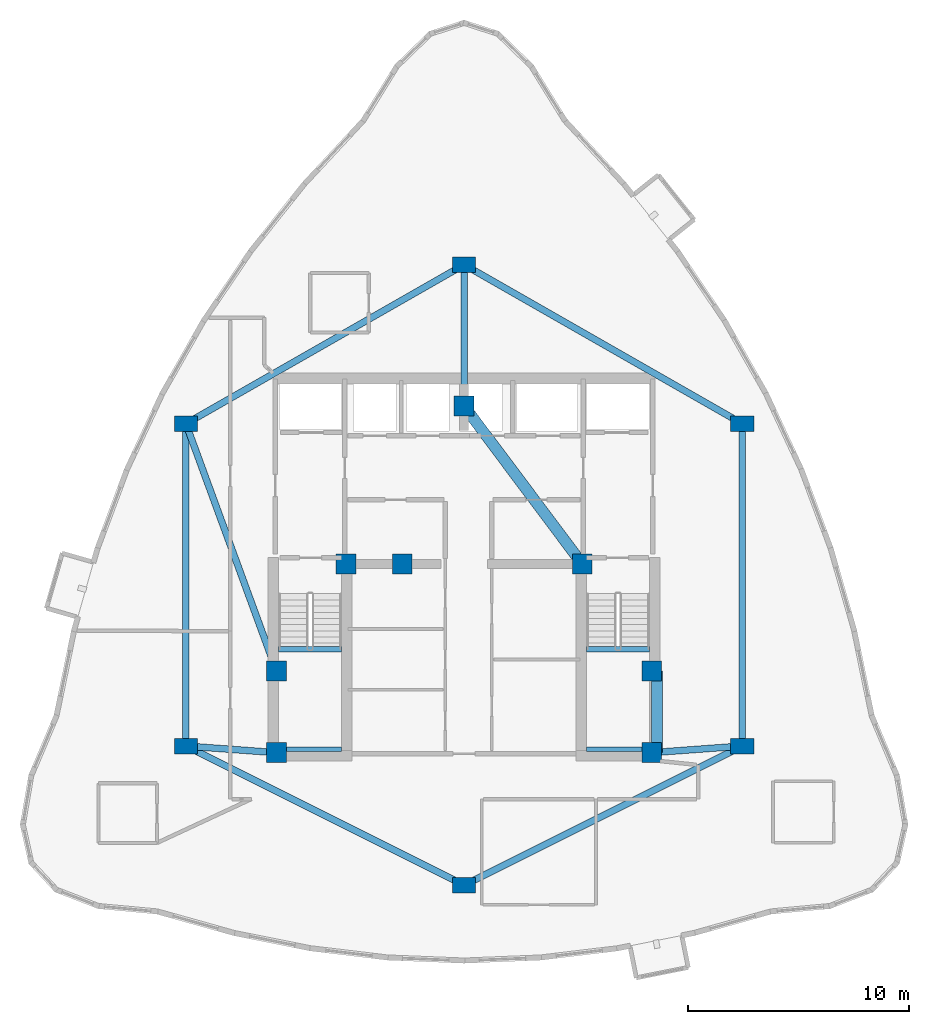
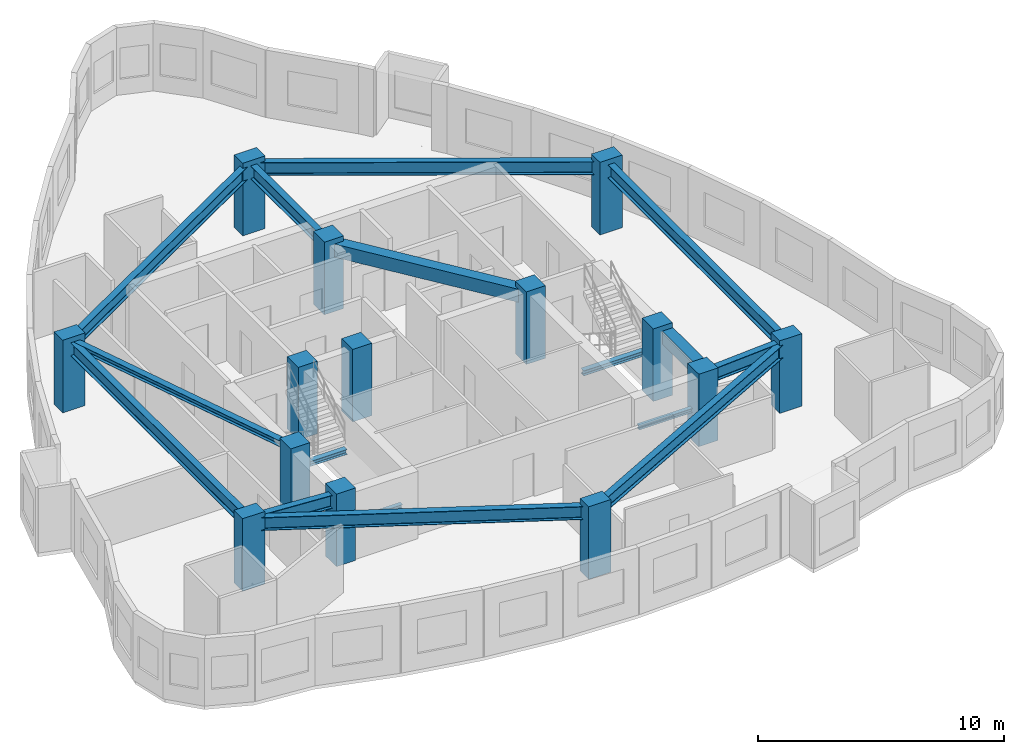
# One storey, part 1 of 10: 16 beams, 14 columns.
"""IFC4 building model written with IfcOpenShell, lengths in metres."""

from ifc_helpers import new_model, si_unit, direction, frame, origin, origin_2d, place, context, subcontext, project, spatial, rectangle, i_section, extrude, material, material_profile, profile_set, type_object, element, save


model = new_model("IFC4")

# Units and contexts
model_context = context("Model", 3, precision=1e-05, world=origin(), true_north=direction((0.0, 1.0)))
body_context = subcontext(model_context, "Body", "Model", "MODEL_VIEW")
ifc_project = project(units=[si_unit("LENGTHUNIT", "METRE"), si_unit("AREAUNIT", "SQUARE_METRE"), si_unit("VOLUMEUNIT", "CUBIC_METRE"), si_unit("PLANEANGLEUNIT", "RADIAN"), si_unit("MASSUNIT", "GRAM", prefix="KILO")], contexts=[model_context])

# Site, building, storey
site_placement = place(None, origin())
site = spatial("IfcSite", under=ifc_project, at=site_placement, CompositionType="ELEMENT")
building_placement = place(site_placement, origin())
building = spatial("IfcBuilding", under=site, at=building_placement, Name="Miruveldt Soraemaru", CompositionType="ELEMENT")
storey_placement = place(building_placement, frame((0.0, 0.0, 226.800048828125)))
storey = spatial("IfcBuildingStorey", under=building, at=storey_placement, Name="L62", CompositionType="ELEMENT", Elevation=226.800048828125)

# Columns
ifc_material_1 = material(Name="Concrete C50/60 (50 MPa)", Category="concrete")
ifc_material_profile_1 = material_profile(ifc_material_1, rectangle(XDim=0.89990234375, YDim=0.89990234375, at=origin_2d()), Name="Concrete C50/60 (50 MPa)", Category="concrete")
ifc_profile_set_1 = profile_set([ifc_material_profile_1], Name="Concrete C50/60 (50 MPa)")
column_type_1 = type_object("IfcColumnType", Name="COL-CORE-900", PredefinedType="COLUMN", material=ifc_profile_set_1)
for number, where, z_axis, x_axis, name in (
    (1, (35.5, 35.5, 0.0), (0.0, 0.0, 1.0), (1.0, 0.0, 0.0), "L62 Structural Column CC1"),
    (2, (38.64990234375, 44.050048828125, 0.0), (0.0, 0.0, 1.0), (1.0, 0.0, 0.0), "L62 Structural Column CC2"),
    (3, (52.5, 35.5, 0.0), (0.0, 0.0, 1.0), (1.0, 0.0, 0.0), "L62 Structural Column CC3"),
    (4, (52.5, 39.199951171875, 0.0), (0.0, 0.0, 1.0), (1.0, 0.0, 0.0), "L62 Structural Column CC4"),
    (5, (49.35009765625, 44.050048828125, 0.0), (0.0, 0.0, 1.0), (1.0, 0.0, 0.0), "L62 Structural Column CC5"),
    (6, (44.0, 51.199951171875, 0.0), (0.0, 0.0, 1.0), (1.0, 0.0, 0.0), "L62 Structural Column CC6"),
    (7, (35.5, 39.199951171875, 0.0), (0.0, 0.0, 1.0), (1.0, 0.0, 0.0), "L62 Structural Column CC7"),
    (8, (41.199951171875, 44.050048828125, 0.0), (0.0, 0.0, 1.0), (1.0, 0.0, 0.0), "L62 Structural Column CC8"),
):
    element("IfcColumn", number, at=place(storey_placement, frame(where, z_axis=z_axis, x_axis=x_axis)), inside=storey, type_object=column_type_1, Name=name, PredefinedType="COLUMN", context=body_context, shape_type="SweptSolid", body=[
        extrude(rectangle(XDim=0.89990234375, YDim=0.89990234375, at=origin_2d()), origin(), (0.0, 0.0, 1.0), 3.599853515625),
    ])
ifc_material_2 = material(Name="Concrete C60/75 (60 MPa)", Category="concrete")
ifc_material_profile_2 = material_profile(ifc_material_2, rectangle(XDim=1.050048828125, YDim=0.699951171875, at=origin_2d()), Name="Concrete C60/75 (60 MPa)", Category="concrete")
ifc_profile_set_2 = profile_set([ifc_material_profile_2], Name="Concrete C60/75 (60 MPa)")
column_type_2 = type_object("IfcColumnType", Name="COL-TW-Z3", PredefinedType="COLUMN", material=ifc_profile_set_2)
for number, where, z_axis, x_axis, name in (
    (9, (44.0, 57.60009765625, 0.0), (0.0, 0.0, 1.0), (1.0, 0.0, 0.0), "L62 Structural Column IR01"),
    (10, (56.60009765625, 50.39990234375, 0.0), (0.0, 0.0, 1.0), (1.0, 0.0, 0.0), "L62 Structural Column IR02"),
    (11, (56.60009765625, 35.800048828125, 0.0), (0.0, 0.0, 1.0), (1.0, 0.0, 0.0), "L62 Structural Column IR03"),
    (12, (44.0, 29.5, 0.0), (0.0, 0.0, 1.0), (1.0, 0.0, 0.0), "L62 Structural Column IR04"),
    (13, (31.39990234375, 35.800048828125, 0.0), (0.0, 0.0, 1.0), (1.0, 0.0, 0.0), "L62 Structural Column IR05"),
    (14, (31.39990234375, 50.39990234375, 0.0), (0.0, 0.0, 1.0), (1.0, 0.0, 0.0), "L62 Structural Column IR06"),
):
    element("IfcColumn", number, at=place(storey_placement, frame(where, z_axis=z_axis, x_axis=x_axis)), inside=storey, type_object=column_type_2, Name=name, PredefinedType="COLUMN", context=body_context, shape_type="SweptSolid", body=[
        extrude(rectangle(XDim=1.050048828125, YDim=0.699951171875, at=origin_2d()), origin(), (0.0, 0.0, 1.0), 3.599853515625),
    ])

# Beams
ifc_material_3 = material(Name="Steel SM355 (355 MPa)", Category="steel")
ifc_material_profile_3 = material_profile(ifc_material_3, i_section(OverallWidth=0.300048828125, OverallDepth=0.300048828125, WebThickness=0.010009765625, FlangeThickness=0.014892578125, FilletRadius=0.01806640625, at=origin_2d()), Name="Steel SM355 (355 MPa)", Category="steel")
ifc_profile_set_3 = profile_set([ifc_material_profile_3], Name="Steel SM355 (355 MPa)")
beam_type_1 = type_object("IfcBeamType", Name="BM-LNT-H300", PredefinedType="LINTEL", material=ifc_profile_set_3)
beam_1_placement = place(storey_placement, frame((31.39990234375, 50.39990234375, 3.195068359375), z_axis=(0.343770424598, -0.939053723262, 0.0), x_axis=(0.939053723262, 0.343770424598, 0.0)))
element("IfcBeam", 15, at=beam_1_placement, inside=storey, type_object=beam_type_1, Name="L62 West Lobby Lintel", PredefinedType="LINTEL", context=body_context, shape_type="SweptSolid", body=[
    extrude(i_section(OverallWidth=0.300048828125, OverallDepth=0.300048828125, WebThickness=0.010009765625, FlangeThickness=0.014892578125, FilletRadius=0.01806640625, at=origin_2d()), origin(), (0.0, 0.0, 1.0), 11.9267578125),
])
ifc_material_profile_4 = material_profile(ifc_material_1, rectangle(XDim=0.5, YDim=0.64990234375, at=origin_2d()), Name="Concrete C50/60 (50 MPa)", Category="concrete")
ifc_profile_set_4 = profile_set([ifc_material_profile_4], Name="Concrete C50/60 (50 MPa)")
beam_type_2 = type_object("IfcBeamType", Name="BM-RC-500x650", PredefinedType="BEAM", material=ifc_profile_set_4)
beam_2_placement = place(storey_placement, frame((52.72998046875, 35.5, 3.02001953125), z_axis=(0.0, 1.0, 0.0), x_axis=(-1.0, 0.0, 0.0)))
element("IfcBeam", 16, at=beam_2_placement, inside=storey, type_object=beam_type_2, Name="L62 Core Tie Beam 3", PredefinedType="BEAM", context=body_context, shape_type="SweptSolid", body=[
    extrude(rectangle(XDim=0.5, YDim=0.64990234375, at=origin_2d()), origin(), (0.0, 0.0, 1.0), 3.699951171875),
])
beam_3_placement = place(storey_placement, frame((49.35009765625, 44.050048828125, 3.02001953125), z_axis=(-0.599116023999, 0.800662219533, 0.0), x_axis=(-0.800662219533, -0.599116023999, 0.0)))
element("IfcBeam", 17, at=beam_3_placement, inside=storey, type_object=beam_type_2, Name="L62 Core Tie Beam 5", PredefinedType="BEAM", context=body_context, shape_type="SweptSolid", body=[
    extrude(rectangle(XDim=0.5, YDim=0.64990234375, at=origin_2d()), origin(), (0.0, 0.0, 1.0), 8.929931640625),
])
ifc_material_profile_5 = material_profile(ifc_material_3, i_section(OverallWidth=0.300048828125, OverallDepth=0.64990234375, WebThickness=0.012939453125, FlangeThickness=0.02197265625, FilletRadius=0.02587890625, at=origin_2d()), Name="Steel SM355 (355 MPa)", Category="steel")
ifc_profile_set_5 = profile_set([ifc_material_profile_5], Name="Steel SM355 (355 MPa)")
beam_type_3 = type_object("IfcBeamType", Name="BM-ST-H650", PredefinedType="BEAM", material=ifc_profile_set_5)
beam_4_placement = place(storey_placement, frame((44.0, 57.60009765625, 3.02001953125), z_axis=(0.868239001029, -0.496146185203, 0.0), x_axis=(0.496146185203, 0.868239001029, 0.0)))
element("IfcBeam", 18, at=beam_4_placement, inside=storey, type_object=beam_type_3, Name="L62 Inner Ring Girder 1", PredefinedType="BEAM", context=body_context, shape_type="SweptSolid", body=[
    extrude(i_section(OverallWidth=0.300048828125, OverallDepth=0.64990234375, WebThickness=0.012939453125, FlangeThickness=0.02197265625, FilletRadius=0.02587890625, at=origin_2d()), origin(), (0.0, 0.0, 1.0), 14.51220703125),
])
beam_5_placement = place(storey_placement, frame((44.0, 51.199951171875, 3.02001953125), z_axis=(0.0, 1.0, 0.0), x_axis=(-1.0, 0.0, 0.0)))
element("IfcBeam", 19, at=beam_5_placement, inside=storey, type_object=beam_type_3, Name="L62 Core-to-Inner Radial Girder 1", PredefinedType="BEAM", context=body_context, shape_type="SweptSolid", body=[
    extrude(i_section(OverallWidth=0.300048828125, OverallDepth=0.64990234375, WebThickness=0.012939453125, FlangeThickness=0.02197265625, FilletRadius=0.02587890625, at=origin_2d()), origin(), (0.0, 0.0, 1.0), 6.400146484375),
])
beam_6_placement = place(storey_placement, frame((56.60009765625, 50.39990234375, 3.02001953125), z_axis=(0.0, -1.0, 0.0), x_axis=(1.0, 0.0, 0.0)))
element("IfcBeam", 20, at=beam_6_placement, inside=storey, type_object=beam_type_3, Name="L62 Inner Ring Girder 2", PredefinedType="BEAM", context=body_context, shape_type="SweptSolid", body=[
    extrude(i_section(OverallWidth=0.300048828125, OverallDepth=0.64990234375, WebThickness=0.012939453125, FlangeThickness=0.02197265625, FilletRadius=0.02587890625, at=origin_2d()), origin(), (0.0, 0.0, 1.0), 14.599853515625),
])
beam_7_placement = place(storey_placement, frame((56.60009765625, 35.800048828125, 3.02001953125), z_axis=(-0.894427191, -0.4472135955, 0.0), x_axis=(0.4472135955, -0.894427191, 0.0)))
element("IfcBeam", 21, at=beam_7_placement, inside=storey, type_object=beam_type_3, Name="L62 Inner Ring Girder 3", PredefinedType="BEAM", context=body_context, shape_type="SweptSolid", body=[
    extrude(i_section(OverallWidth=0.300048828125, OverallDepth=0.64990234375, WebThickness=0.012939453125, FlangeThickness=0.02197265625, FilletRadius=0.02587890625, at=origin_2d()), origin(), (0.0, 0.0, 1.0), 14.08740234375),
])
beam_8_placement = place(storey_placement, frame((52.5, 35.5, 3.02001953125), z_axis=(0.997332985605, 0.072985723431, 0.0), x_axis=(-0.072985723431, 0.997332985605, 0.0)))
element("IfcBeam", 22, at=beam_8_placement, inside=storey, type_object=beam_type_3, Name="L62 Core-to-Inner Radial Girder 3", PredefinedType="BEAM", context=body_context, shape_type="SweptSolid", body=[
    extrude(i_section(OverallWidth=0.300048828125, OverallDepth=0.64990234375, WebThickness=0.012939453125, FlangeThickness=0.02197265625, FilletRadius=0.02587890625, at=origin_2d()), origin(), (0.0, 0.0, 1.0), 4.111083984375),
])
beam_9_placement = place(storey_placement, frame((44.0, 29.5, 3.02001953125), z_axis=(-0.894427191, 0.4472135955, 0.0), x_axis=(-0.4472135955, -0.894427191, 0.0)))
element("IfcBeam", 23, at=beam_9_placement, inside=storey, type_object=beam_type_3, Name="L62 Inner Ring Girder 4", PredefinedType="BEAM", context=body_context, shape_type="SweptSolid", body=[
    extrude(i_section(OverallWidth=0.300048828125, OverallDepth=0.64990234375, WebThickness=0.012939453125, FlangeThickness=0.02197265625, FilletRadius=0.02587890625, at=origin_2d()), origin(), (0.0, 0.0, 1.0), 14.08740234375),
])
beam_10_placement = place(storey_placement, frame((31.39990234375, 35.800048828125, 3.02001953125), z_axis=(0.0, 1.0, 0.0), x_axis=(-1.0, 0.0, 0.0)))
element("IfcBeam", 24, at=beam_10_placement, inside=storey, type_object=beam_type_3, Name="L62 Inner Ring Girder 5", PredefinedType="BEAM", context=body_context, shape_type="SweptSolid", body=[
    extrude(i_section(OverallWidth=0.300048828125, OverallDepth=0.64990234375, WebThickness=0.012939453125, FlangeThickness=0.02197265625, FilletRadius=0.02587890625, at=origin_2d()), origin(), (0.0, 0.0, 1.0), 14.599853515625),
])
beam_11_placement = place(storey_placement, frame((35.5, 35.5, 3.02001953125), z_axis=(-0.997332985605, 0.072985723431, 0.0), x_axis=(-0.072985723431, -0.997332985605, 0.0)))
element("IfcBeam", 25, at=beam_11_placement, inside=storey, type_object=beam_type_3, Name="L62 Core-to-Inner Radial Girder 5", PredefinedType="BEAM", context=body_context, shape_type="SweptSolid", body=[
    extrude(i_section(OverallWidth=0.300048828125, OverallDepth=0.64990234375, WebThickness=0.012939453125, FlangeThickness=0.02197265625, FilletRadius=0.02587890625, at=origin_2d()), origin(), (0.0, 0.0, 1.0), 4.111083984375),
])
beam_12_placement = place(storey_placement, frame((31.39990234375, 50.39990234375, 3.02001953125), z_axis=(0.868239001029, 0.496146185203, 0.0), x_axis=(-0.496146185203, 0.868239001029, 0.0)))
element("IfcBeam", 26, at=beam_12_placement, inside=storey, type_object=beam_type_3, Name="L62 Inner Ring Girder 6", PredefinedType="BEAM", context=body_context, shape_type="SweptSolid", body=[
    extrude(i_section(OverallWidth=0.300048828125, OverallDepth=0.64990234375, WebThickness=0.012939453125, FlangeThickness=0.02197265625, FilletRadius=0.02587890625, at=origin_2d()), origin(), (0.0, 0.0, 1.0), 14.51220703125),
])
ifc_material_profile_6 = material_profile(ifc_material_3, i_section(OverallWidth=0.199951171875, OverallDepth=0.199951171875, WebThickness=0.008056640625, FlangeThickness=0.011962890625, FilletRadius=0.012939453125, at=origin_2d()), Name="Steel SM355 (355 MPa)", Category="steel")
ifc_profile_set_6 = profile_set([ifc_material_profile_6], Name="Steel SM355 (355 MPa)")
beam_type_4 = type_object("IfcBeamType", Name="BM-ST-LND200", PredefinedType="BEAM", material=ifc_profile_set_6)
for number, where, z_axis, x_axis, name in (
    (27, (35.60009765625, 35.64990234375, 1.5), (1.0, 0.0, 0.0), (0.0, 1.0, 0.0), "L62 ST1 Landing End Beam 1B"),
    (28, (49.550048828125, 35.64990234375, 1.5), (1.0, 0.0, 0.0), (0.0, 1.0, 0.0), "L62 ST2 Landing End Beam 1B"),
):
    element("IfcBeam", number, at=place(storey_placement, frame(where, z_axis=z_axis, x_axis=x_axis)), inside=storey, type_object=beam_type_4, Name=name, PredefinedType="BEAM", context=body_context, shape_type="SweptSolid", body=[
        extrude(i_section(OverallWidth=0.199951171875, OverallDepth=0.199951171875, WebThickness=0.008056640625, FlangeThickness=0.011962890625, FilletRadius=0.012939453125, at=origin_2d()), origin(), (0.0, 0.0, 1.0), 2.849853515625),
    ])
ifc_material_profile_7 = material_profile(ifc_material_3, i_section(OverallWidth=0.25, OverallDepth=0.25, WebThickness=0.009033203125, FlangeThickness=0.013916015625, FilletRadius=0.01611328125, at=origin_2d()), Name="Steel SM355 (355 MPa)", Category="steel")
ifc_profile_set_7 = profile_set([ifc_material_profile_7], Name="Steel SM355 (355 MPa)")
beam_type_5 = type_object("IfcBeamType", Name="BM-ST-LND250", PredefinedType="BEAM", material=ifc_profile_set_7)
for number, where, z_axis, x_axis, name in (
    (29, (35.60009765625, 40.179931640625, 1.474853515625), (1.0, 0.0, 0.0), (0.0, 1.0, 0.0), "L62 ST1 Landing Support Beam 1A"),
    (30, (49.550048828125, 40.179931640625, 1.474853515625), (1.0, 0.0, 0.0), (0.0, 1.0, 0.0), "L62 ST2 Landing Support Beam 1A"),
):
    element("IfcBeam", number, at=place(storey_placement, frame(where, z_axis=z_axis, x_axis=x_axis)), inside=storey, type_object=beam_type_5, Name=name, PredefinedType="BEAM", context=body_context, shape_type="SweptSolid", body=[
        extrude(i_section(OverallWidth=0.25, OverallDepth=0.25, WebThickness=0.009033203125, FlangeThickness=0.013916015625, FilletRadius=0.01611328125, at=origin_2d()), origin(), (0.0, 0.0, 1.0), 2.849853515625),
    ])

save(model, "model.ifc")
